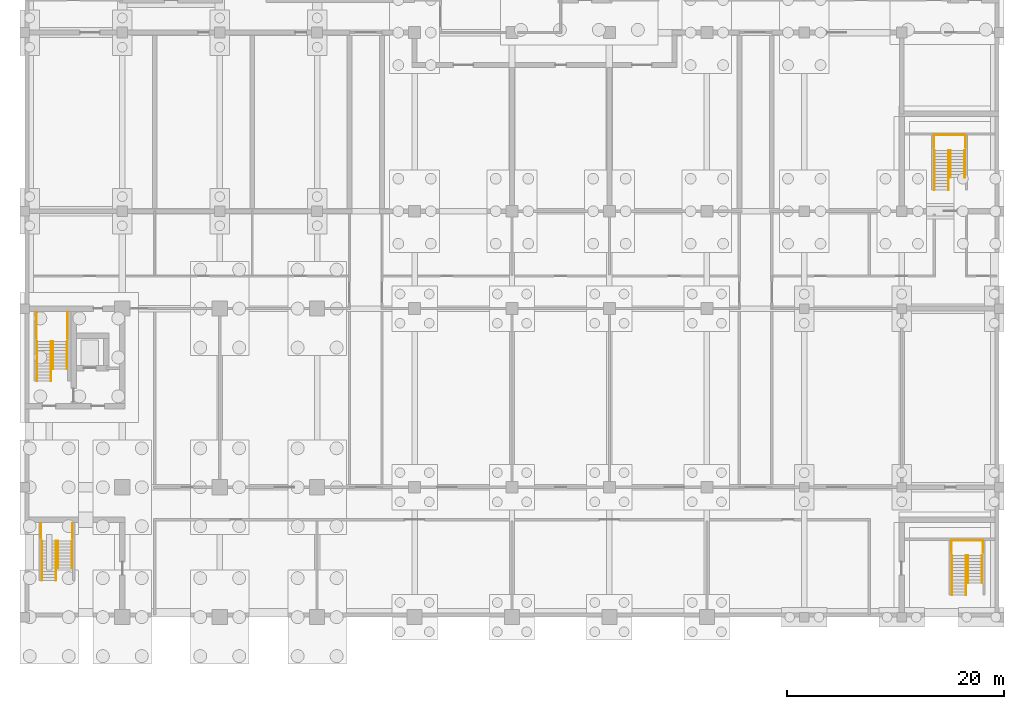
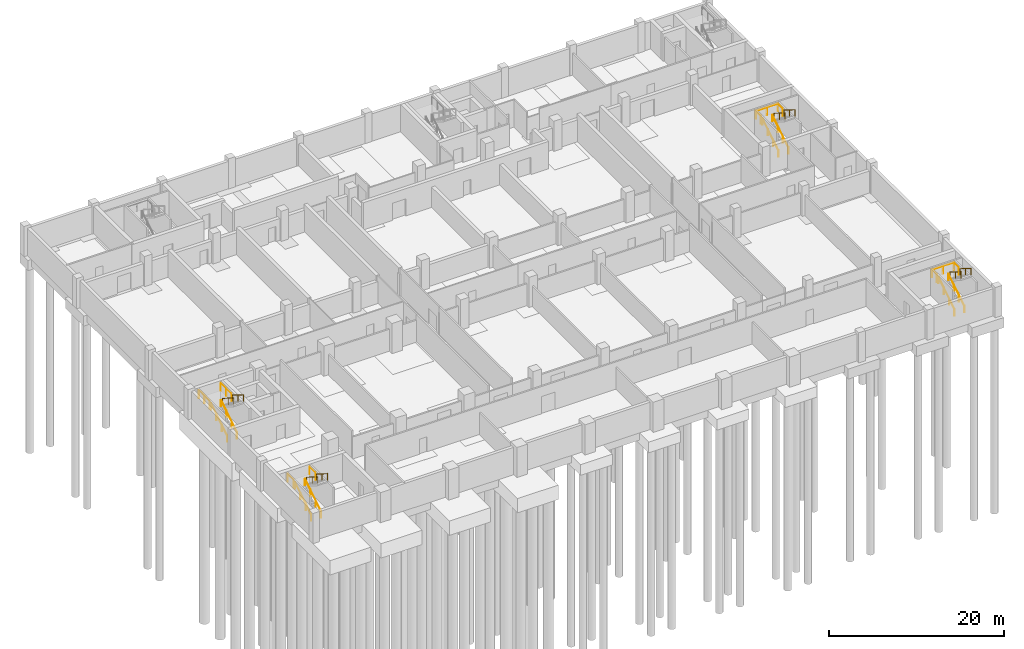
# One storey, part 12 of 15: 24 railings.
"""IFC4 building model written with IfcOpenShell, lengths in metres."""

from ifc_helpers import new_model, si_unit, direction, frame, origin, origin_2d, place, context, subcontext, project, spatial, circle, extrude, material, type_object, element, save


model = new_model("IFC4")

# Units and contexts
model_context = context("Model", 3, precision=1e-05, world=origin(), true_north=direction((0.0, 1.0)))
body_context = subcontext(model_context, "Body", "Model", "MODEL_VIEW")
ifc_project = project(units=[si_unit("LENGTHUNIT", "METRE"), si_unit("AREAUNIT", "SQUARE_METRE"), si_unit("VOLUMEUNIT", "CUBIC_METRE"), si_unit("PLANEANGLEUNIT", "RADIAN"), si_unit("MASSUNIT", "GRAM", prefix="KILO")], contexts=[model_context])

# Site, building, storey
site_placement = place(None, origin())
site = spatial("IfcSite", under=ifc_project, at=site_placement, CompositionType="ELEMENT")
building_placement = place(site_placement, origin())
building = spatial("IfcBuilding", under=site, at=building_placement, Name="Aurelan Courthouse", CompositionType="ELEMENT")
storey_placement = place(building_placement, frame((0.0, 0.0, -8.39990234375)))
storey = spatial("IfcBuildingStorey", under=building, at=storey_placement, Name="B2", CompositionType="ELEMENT", Elevation=-8.39990234375)

# Railings
ifc_material = material(Name="Steel S355", Category="steel")
railing_type_1 = type_object("IfcRailingType", Name="Stair guard 1100", PredefinedType="GUARDRAIL", material=ifc_material)
railing_1_placement = place(storey_placement, frame((1.510009765625, 7.315185546875, 2.449951171875)))
element("IfcRailing", 1, at=railing_1_placement, inside=storey, type_object=railing_type_1, Name="Guard BS-1-B2-GL1", PredefinedType="GUARDRAIL", context=body_context, shape_type="SweptSolid", body=[
    extrude(circle(Radius=0.02392578125, at=origin_2d()), frame((0.0, 0.0, 1.076171875), z_axis=(0.0, 1.0, 0.0), x_axis=(-1.0, 0.0, 0.0)), (0.0, 0.0, 1.0), 1.354736328125),
    extrude(circle(Radius=0.02099609375, at=origin_2d()), origin(), (0.0, 0.0, 1.0), 1.052001953125),
    extrude(circle(Radius=0.02099609375, at=origin_2d()), frame((0.0, 1.354736328125, 0.0)), (0.0, 0.0, 1.0), 1.052001953125),
])
railing_2_placement = place(storey_placement, frame((4.409912109375, 8.669921875, 2.449951171875)))
element("IfcRailing", 2, at=railing_2_placement, inside=storey, type_object=railing_type_1, Name="Guard BS-1-B2-GL2", PredefinedType="GUARDRAIL", context=body_context, shape_type="SweptSolid", body=[
    extrude(circle(Radius=0.02392578125, at=origin_2d()), frame((0.0, 0.0, 1.076171875), z_axis=(0.0, -1.0, 0.0), x_axis=(1.0, 0.0, 0.0)), (0.0, 0.0, 1.0), 1.354736328125),
    extrude(circle(Radius=0.02099609375, at=origin_2d()), origin(), (0.0, 0.0, 1.0), 1.052001953125),
    extrude(circle(Radius=0.02099609375, at=origin_2d()), frame((0.0, -1.354736328125, 0.0)), (0.0, 0.0, 1.0), 1.052001953125),
])
railing_3_placement = place(storey_placement, frame((85.590087890625, 5.97021484375, 2.449951171875)))
element("IfcRailing", 3, at=railing_3_placement, inside=storey, type_object=railing_type_1, Name="Guard BS-2-B2-GL1", PredefinedType="GUARDRAIL", context=body_context, shape_type="SweptSolid", body=[
    extrude(circle(Radius=0.02392578125, at=origin_2d()), frame((0.0, 0.0, 1.076171875), z_axis=(0.0, 1.0, 0.0), x_axis=(-1.0, 0.0, 0.0)), (0.0, 0.0, 1.0), 1.124755859375),
    extrude(circle(Radius=0.02099609375, at=origin_2d()), origin(), (0.0, 0.0, 1.0), 1.052001953125),
    extrude(circle(Radius=0.02099609375, at=origin_2d()), frame((0.0, 1.124755859375, 0.0)), (0.0, 0.0, 1.0), 1.052001953125),
])
railing_4_placement = place(storey_placement, frame((85.590087890625, 7.094970703125, 2.449951171875)))
element("IfcRailing", 4, at=railing_4_placement, inside=storey, type_object=railing_type_1, Name="Guard BS-2-B2-GL2", PredefinedType="GUARDRAIL", context=body_context, shape_type="SweptSolid", body=[
    extrude(circle(Radius=0.02392578125, at=origin_2d()), frame((0.0, 0.0, 1.076171875), z_axis=(1.0, 0.0, 0.0), x_axis=(0.0, 1.0, 0.0)), (0.0, 0.0, 1.0), 2.89990234375),
    extrude(circle(Radius=0.02392578125, at=origin_2d()), frame((2.89990234375, 0.0, 1.076171875), z_axis=(0.0, -1.0, 0.0), x_axis=(1.0, 0.0, 0.0)), (0.0, 0.0, 1.0), 1.124755859375),
    extrude(circle(Radius=0.02099609375, at=origin_2d()), origin(), (0.0, 0.0, 1.0), 1.052001953125),
    extrude(circle(Radius=0.02099609375, at=origin_2d()), frame((1.449951171875, 0.0, 0.0)), (0.0, 0.0, 1.0), 1.052001953125),
    extrude(circle(Radius=0.02099609375, at=origin_2d()), frame((2.89990234375, 0.0, 0.0)), (0.0, 0.0, 1.0), 1.052001953125),
    extrude(circle(Radius=0.02099609375, at=origin_2d()), frame((2.89990234375, -1.124755859375, 0.0)), (0.0, 0.0, 1.0), 1.052001953125),
])
railing_5_placement = place(storey_placement, frame((83.97509765625, 43.395263671875, 2.449951171875)))
element("IfcRailing", 5, at=railing_5_placement, inside=storey, type_object=railing_type_1, Name="Guard BS-4-B2-GL1", PredefinedType="GUARDRAIL", context=body_context, shape_type="SweptSolid", body=[
    extrude(circle(Radius=0.02392578125, at=origin_2d()), frame((0.0, 0.0, 1.076171875), z_axis=(0.0, 1.0, 0.0), x_axis=(-1.0, 0.0, 0.0)), (0.0, 0.0, 1.0), 1.124755859375),
    extrude(circle(Radius=0.02099609375, at=origin_2d()), origin(), (0.0, 0.0, 1.0), 1.052001953125),
    extrude(circle(Radius=0.02099609375, at=origin_2d()), frame((0.0, 1.124755859375, 0.0)), (0.0, 0.0, 1.0), 1.052001953125),
])
railing_6_placement = place(storey_placement, frame((83.97509765625, 44.52001953125, 2.449951171875)))
element("IfcRailing", 6, at=railing_6_placement, inside=storey, type_object=railing_type_1, Name="Guard BS-4-B2-GL2", PredefinedType="GUARDRAIL", context=body_context, shape_type="SweptSolid", body=[
    extrude(circle(Radius=0.02392578125, at=origin_2d()), frame((0.0, 0.0, 1.076171875), z_axis=(1.0, 0.0, 0.0), x_axis=(0.0, 1.0, 0.0)), (0.0, 0.0, 1.0), 2.89990234375),
    extrude(circle(Radius=0.02392578125, at=origin_2d()), frame((2.89990234375, 0.0, 1.076171875), z_axis=(0.0, -1.0, 0.0), x_axis=(1.0, 0.0, 0.0)), (0.0, 0.0, 1.0), 1.124755859375),
    extrude(circle(Radius=0.02099609375, at=origin_2d()), origin(), (0.0, 0.0, 1.0), 1.052001953125),
    extrude(circle(Radius=0.02099609375, at=origin_2d()), frame((1.449951171875, 0.0, 0.0)), (0.0, 0.0, 1.0), 1.052001953125),
    extrude(circle(Radius=0.02099609375, at=origin_2d()), frame((2.89990234375, 0.0, 0.0)), (0.0, 0.0, 1.0), 1.052001953125),
    extrude(circle(Radius=0.02099609375, at=origin_2d()), frame((2.89990234375, -1.124755859375, 0.0)), (0.0, 0.0, 1.0), 1.052001953125),
])
railing_7_placement = place(storey_placement, frame((1.06005859375, 25.725341796875, 2.449951171875)))
element("IfcRailing", 7, at=railing_7_placement, inside=storey, type_object=railing_type_1, Name="Guard ST-5B-B2-GL1", PredefinedType="GUARDRAIL", context=body_context, shape_type="SweptSolid", body=[
    extrude(circle(Radius=0.02392578125, at=origin_2d()), frame((0.0, 0.0, 1.076171875), z_axis=(0.0, 1.0, 0.0), x_axis=(-1.0, 0.0, 0.0)), (0.0, 0.0, 1.0), 2.444580078125),
    extrude(circle(Radius=0.02099609375, at=origin_2d()), origin(), (0.0, 0.0, 1.0), 1.052001953125),
    extrude(circle(Radius=0.02099609375, at=origin_2d()), frame((0.0, 1.22216796875, 0.0)), (0.0, 0.0, 1.0), 1.052001953125),
    extrude(circle(Radius=0.02099609375, at=origin_2d()), frame((0.0, 2.444580078125, 0.0)), (0.0, 0.0, 1.0), 1.052001953125),
])
railing_8_placement = place(storey_placement, frame((3.9599609375, 28.169921875, 2.449951171875)))
element("IfcRailing", 8, at=railing_8_placement, inside=storey, type_object=railing_type_1, Name="Guard ST-5B-B2-GL2", PredefinedType="GUARDRAIL", context=body_context, shape_type="SweptSolid", body=[
    extrude(circle(Radius=0.02392578125, at=origin_2d()), frame((0.0, 0.0, 1.076171875), z_axis=(0.0, -1.0, 0.0), x_axis=(1.0, 0.0, 0.0)), (0.0, 0.0, 1.0), 2.444580078125),
    extrude(circle(Radius=0.02099609375, at=origin_2d()), origin(), (0.0, 0.0, 1.0), 1.052001953125),
    extrude(circle(Radius=0.02099609375, at=origin_2d()), frame((0.0, -1.22216796875, 0.0)), (0.0, 0.0, 1.0), 1.052001953125),
    extrude(circle(Radius=0.02099609375, at=origin_2d()), frame((0.0, -2.444580078125, 0.0)), (0.0, 0.0, 1.0), 1.052001953125),
])
railing_type_2 = type_object("IfcRailingType", Name="Stair handrail 900", PredefinedType="HANDRAIL", material=ifc_material)
for number, where, name in (
    (9, (1.56005859375, 3.39990234375, 0.1748046875), "Handrail BS-1-B2-H1"),
    (10, (2.860107421875, 3.39990234375, 0.1748046875), "Handrail BS-1-B2-H2"),
):
    element("IfcRailing", number, at=place(storey_placement, frame(where)), inside=storey, type_object=railing_type_2, Name=name, PredefinedType="HANDRAIL", context=body_context, shape_type="SweptSolid", body=[
        extrude(circle(Radius=0.02392578125, at=origin_2d()), frame((0.0, 0.0, 0.8759765625), z_axis=(0.0, 0.847991913602, 0.530009164511), x_axis=(-1.0, 0.0, 0.0)), (0.0, 0.0, 1.0), 4.292724609375),
        extrude(circle(Radius=0.02099609375, at=origin_2d()), origin(), (0.0, 0.0, 1.0), 0.851806640625),
        extrude(circle(Radius=0.02099609375, at=origin_2d()), frame((0.0, 1.21337890625, 0.75830078125)), (0.0, 0.0, 1.0), 0.851806640625),
        extrude(circle(Radius=0.02099609375, at=origin_2d()), frame((0.0, 2.4267578125, 1.516845703125)), (0.0, 0.0, 1.0), 0.851806640625),
        extrude(circle(Radius=0.02099609375, at=origin_2d()), frame((0.0, 3.64013671875, 2.275146484375)), (0.0, 0.0, 1.0), 0.851806640625),
    ])
for number, where, name in (
    (11, (3.06005859375, 7.0400390625, 2.625), "Handrail BS-1-B2-H3"),
    (12, (4.360107421875, 7.0400390625, 2.625), "Handrail BS-1-B2-H4"),
):
    element("IfcRailing", number, at=place(storey_placement, frame(where)), inside=storey, type_object=railing_type_2, Name=name, PredefinedType="HANDRAIL", context=body_context, shape_type="SweptSolid", body=[
        extrude(circle(Radius=0.02392578125, at=origin_2d()), frame((0.0, 0.0, 0.8759765625), z_axis=(0.0, -0.848007534815, 0.529984170421), x_axis=(1.0, 0.0, 0.0)), (0.0, 0.0, 1.0), 2.9716796875),
        extrude(circle(Radius=0.02099609375, at=origin_2d()), origin(), (0.0, 0.0, 1.0), 0.851806640625),
        extrude(circle(Radius=0.02099609375, at=origin_2d()), frame((0.0, -1.260009765625, 0.78759765625)), (0.0, 0.0, 1.0), 0.851806640625),
        extrude(circle(Radius=0.02099609375, at=origin_2d()), frame((0.0, -2.52001953125, 1.574951171875)), (0.0, 0.0, 1.0), 0.851806640625),
    ])
for number, where, name in (
    (13, (85.639892578125, 2.054931640625, 0.1748046875), "Handrail BS-2-B2-H1"),
    (14, (86.93994140625, 2.054931640625, 0.1748046875), "Handrail BS-2-B2-H2"),
):
    element("IfcRailing", number, at=place(storey_placement, frame(where)), inside=storey, type_object=railing_type_2, Name=name, PredefinedType="HANDRAIL", context=body_context, shape_type="SweptSolid", body=[
        extrude(circle(Radius=0.02392578125, at=origin_2d()), frame((0.0, 0.0, 0.8759765625), z_axis=(0.0, 0.847991913602, 0.530009164511), x_axis=(-1.0, 0.0, 0.0)), (0.0, 0.0, 1.0), 4.292724609375),
        extrude(circle(Radius=0.02099609375, at=origin_2d()), origin(), (0.0, 0.0, 1.0), 0.851806640625),
        extrude(circle(Radius=0.02099609375, at=origin_2d()), frame((0.0, 1.21337890625, 0.75830078125)), (0.0, 0.0, 1.0), 0.851806640625),
        extrude(circle(Radius=0.02099609375, at=origin_2d()), frame((0.0, 2.4267578125, 1.516845703125)), (0.0, 0.0, 1.0), 0.851806640625),
        extrude(circle(Radius=0.02099609375, at=origin_2d()), frame((0.0, 3.64013671875, 2.275146484375)), (0.0, 0.0, 1.0), 0.851806640625),
    ])
for number, where, name in (
    (15, (87.139892578125, 5.695068359375, 2.625), "Handrail BS-2-B2-H3"),
    (16, (88.43994140625, 5.695068359375, 2.625), "Handrail BS-2-B2-H4"),
):
    element("IfcRailing", number, at=place(storey_placement, frame(where)), inside=storey, type_object=railing_type_2, Name=name, PredefinedType="HANDRAIL", context=body_context, shape_type="SweptSolid", body=[
        extrude(circle(Radius=0.02392578125, at=origin_2d()), frame((0.0, 0.0, 0.8759765625), z_axis=(0.0, -0.848007534815, 0.529984170421), x_axis=(1.0, 0.0, 0.0)), (0.0, 0.0, 1.0), 2.9716796875),
        extrude(circle(Radius=0.02099609375, at=origin_2d()), origin(), (0.0, 0.0, 1.0), 0.851806640625),
        extrude(circle(Radius=0.02099609375, at=origin_2d()), frame((0.0, -1.260009765625, 0.78759765625)), (0.0, 0.0, 1.0), 0.851806640625),
        extrude(circle(Radius=0.02099609375, at=origin_2d()), frame((0.0, -2.52001953125, 1.574951171875)), (0.0, 0.0, 1.0), 0.851806640625),
    ])
for number, where, name in (
    (17, (84.02490234375, 39.47998046875, 0.1748046875), "Handrail BS-4-B2-H1"),
    (18, (85.324951171875, 39.47998046875, 0.1748046875), "Handrail BS-4-B2-H2"),
):
    element("IfcRailing", number, at=place(storey_placement, frame(where)), inside=storey, type_object=railing_type_2, Name=name, PredefinedType="HANDRAIL", context=body_context, shape_type="SweptSolid", body=[
        extrude(circle(Radius=0.02392578125, at=origin_2d()), frame((0.0, 0.0, 0.8759765625), z_axis=(0.0, 0.847991913602, 0.530009164511), x_axis=(-1.0, 0.0, 0.0)), (0.0, 0.0, 1.0), 4.292724609375),
        extrude(circle(Radius=0.02099609375, at=origin_2d()), origin(), (0.0, 0.0, 1.0), 0.851806640625),
        extrude(circle(Radius=0.02099609375, at=origin_2d()), frame((0.0, 1.21337890625, 0.75830078125)), (0.0, 0.0, 1.0), 0.851806640625),
        extrude(circle(Radius=0.02099609375, at=origin_2d()), frame((0.0, 2.4267578125, 1.516845703125)), (0.0, 0.0, 1.0), 0.851806640625),
        extrude(circle(Radius=0.02099609375, at=origin_2d()), frame((0.0, 3.64013671875, 2.275146484375)), (0.0, 0.0, 1.0), 0.851806640625),
    ])
for number, where, name in (
    (19, (85.52490234375, 43.1201171875, 2.625), "Handrail BS-4-B2-H3"),
    (20, (86.824951171875, 43.1201171875, 2.625), "Handrail BS-4-B2-H4"),
):
    element("IfcRailing", number, at=place(storey_placement, frame(where)), inside=storey, type_object=railing_type_2, Name=name, PredefinedType="HANDRAIL", context=body_context, shape_type="SweptSolid", body=[
        extrude(circle(Radius=0.02392578125, at=origin_2d()), frame((0.0, 0.0, 0.8759765625), z_axis=(0.0, -0.848007534815, 0.529984170421), x_axis=(1.0, 0.0, 0.0)), (0.0, 0.0, 1.0), 2.9716796875),
        extrude(circle(Radius=0.02099609375, at=origin_2d()), origin(), (0.0, 0.0, 1.0), 0.851806640625),
        extrude(circle(Radius=0.02099609375, at=origin_2d()), frame((0.0, -1.260009765625, 0.78759765625)), (0.0, 0.0, 1.0), 0.851806640625),
        extrude(circle(Radius=0.02099609375, at=origin_2d()), frame((0.0, -2.52001953125, 1.574951171875)), (0.0, 0.0, 1.0), 0.851806640625),
    ])
for number, where, name in (
    (21, (1.110107421875, 21.81005859375, 0.1748046875), "Handrail ST-5B-B2-H1"),
    (22, (2.409912109375, 21.81005859375, 0.1748046875), "Handrail ST-5B-B2-H2"),
):
    element("IfcRailing", number, at=place(storey_placement, frame(where)), inside=storey, type_object=railing_type_2, Name=name, PredefinedType="HANDRAIL", context=body_context, shape_type="SweptSolid", body=[
        extrude(circle(Radius=0.02392578125, at=origin_2d()), frame((0.0, 0.0, 0.8759765625), z_axis=(0.0, 0.847975935976, 0.530034727169), x_axis=(-1.0, 0.0, 0.0)), (0.0, 0.0, 1.0), 4.29248046875),
        extrude(circle(Radius=0.02099609375, at=origin_2d()), origin(), (0.0, 0.0, 1.0), 0.851806640625),
        extrude(circle(Radius=0.02099609375, at=origin_2d()), frame((0.0, 1.21337890625, 0.75830078125)), (0.0, 0.0, 1.0), 0.851806640625),
        extrude(circle(Radius=0.02099609375, at=origin_2d()), frame((0.0, 2.426513671875, 1.516845703125)), (0.0, 0.0, 1.0), 0.851806640625),
        extrude(circle(Radius=0.02099609375, at=origin_2d()), frame((0.0, 3.639892578125, 2.275146484375)), (0.0, 0.0, 1.0), 0.851806640625),
    ])
for number, where, name in (
    (23, (2.610107421875, 25.449951171875, 2.625), "Handrail ST-5B-B2-H3"),
    (24, (3.909912109375, 25.449951171875, 2.625), "Handrail ST-5B-B2-H4"),
):
    element("IfcRailing", number, at=place(storey_placement, frame(where)), inside=storey, type_object=railing_type_2, Name=name, PredefinedType="HANDRAIL", context=body_context, shape_type="SweptSolid", body=[
        extrude(circle(Radius=0.02392578125, at=origin_2d()), frame((0.0, 0.0, 0.8759765625), z_axis=(0.0, -0.848007534815, 0.529984170421), x_axis=(1.0, 0.0, 0.0)), (0.0, 0.0, 1.0), 2.9716796875),
        extrude(circle(Radius=0.02099609375, at=origin_2d()), origin(), (0.0, 0.0, 1.0), 0.851806640625),
        extrude(circle(Radius=0.02099609375, at=origin_2d()), frame((0.0, -1.260009765625, 0.78759765625)), (0.0, 0.0, 1.0), 0.851806640625),
        extrude(circle(Radius=0.02099609375, at=origin_2d()), frame((0.0, -2.52001953125, 1.574951171875)), (0.0, 0.0, 1.0), 0.851806640625),
    ])

save(model, "model.ifc")
